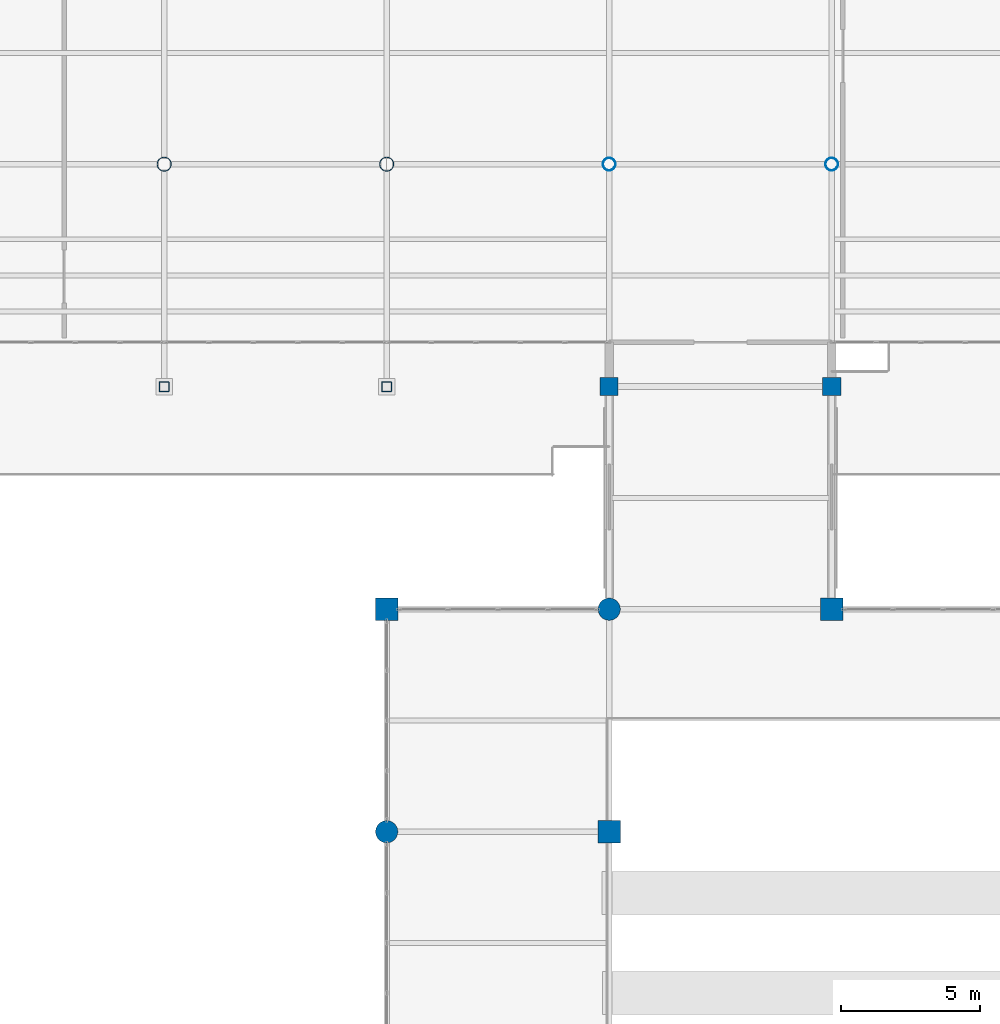
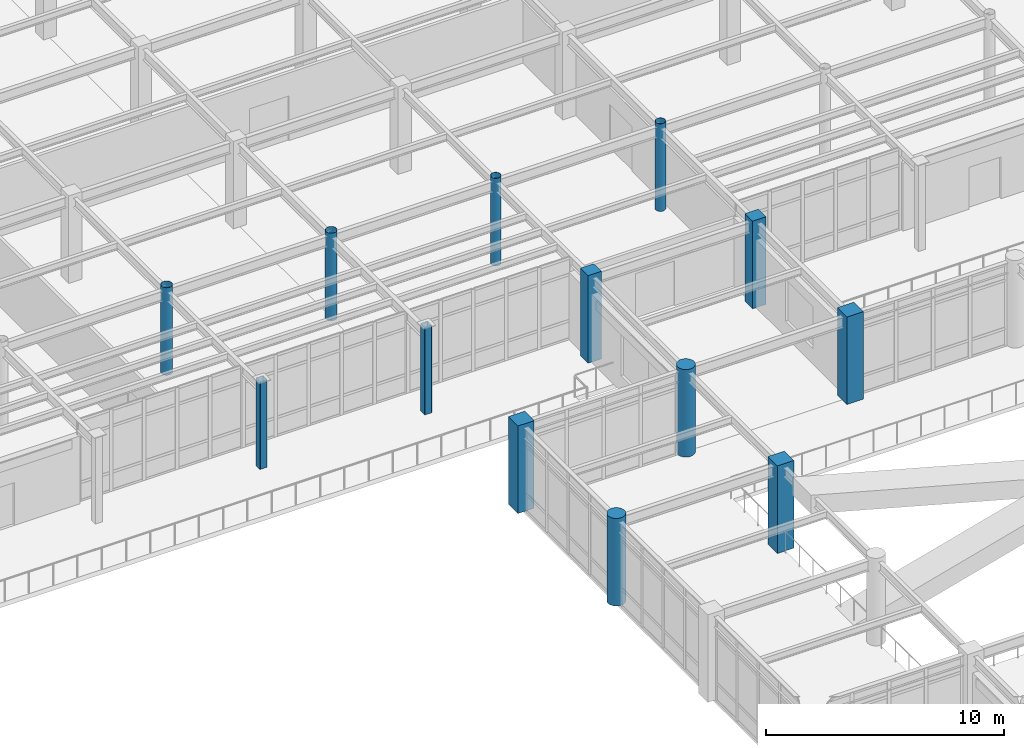
# One storey, part 9 of 111: 13 columns.
"""IFC4 building model written with IfcOpenShell, lengths in metres."""

from ifc_helpers import new_model, si_unit, direction, frame, origin, origin_2d, place, context, subcontext, project, spatial, rectangle, hollow_rectangle, circle, hollow_circle, extrude, material, material_profile, profile_set, type_object, element, save


model = new_model("IFC4")

# Units and contexts
model_context = context("Model", 3, precision=1e-05, world=origin(), true_north=direction((0.0, 1.0)))
body_context = subcontext(model_context, "Body", "Model", "MODEL_VIEW")
ifc_project = project(units=[si_unit("LENGTHUNIT", "METRE"), si_unit("AREAUNIT", "SQUARE_METRE"), si_unit("VOLUMEUNIT", "CUBIC_METRE"), si_unit("PLANEANGLEUNIT", "RADIAN"), si_unit("MASSUNIT", "GRAM", prefix="KILO")], contexts=[model_context])

# Site, building, storey
site_placement = place(None, origin())
site = spatial("IfcSite", under=ifc_project, at=site_placement, CompositionType="ELEMENT")
building_placement = place(site_placement, origin())
building = spatial("IfcBuilding", under=site, at=building_placement, Name="Solmirada Galleria", CompositionType="ELEMENT")
storey_placement = place(building_placement, frame((0.0, 0.0, 10.39990234375)))
storey = spatial("IfcBuildingStorey", under=building, at=storey_placement, Name="L02", CompositionType="ELEMENT", Elevation=10.39990234375)

# Columns
ifc_material_1 = material(Name="Steel S355 / ASTM A500 Grade C", Category="steel")
ifc_material_profile_1 = material_profile(ifc_material_1, hollow_circle(Radius=0.228515625, WallThickness=0.01171875, at=origin_2d()), Name="HSS18.000X0.500")
ifc_profile_set_1 = profile_set([ifc_material_profile_1], Name="Steel S355 / ASTM A500 Grade C")
column_type_1 = type_object("IfcColumnType", Name="COL-CHS18", PredefinedType="COLUMN", material=ifc_profile_set_1)
for number, where, z_axis, x_axis, name in (
    (1, (88.0, 88.0, 0.0), (0.0, 0.0, 1.0), (1.0, 0.0, 0.0), "Structural column L02-0552"),
    (2, (96.0, 88.0, 0.0), (0.0, 0.0, 1.0), (1.0, 0.0, 0.0), "Structural column L02-0660"),
):
    element("IfcColumn", number, at=place(storey_placement, frame(where, z_axis=z_axis, x_axis=x_axis)), inside=storey, type_object=column_type_1, Name=name, PredefinedType="COLUMN", context=body_context, shape_type="SweptSolid", body=[
        extrude(hollow_circle(Radius=0.228515625, WallThickness=0.01171875, at=origin_2d()), origin(), (0.0, 0.0, 1.0), 4.5),
    ])
ifc_material_profile_2 = material_profile(ifc_material_1, hollow_circle(Radius=0.25390625, WallThickness=0.01171875, at=origin_2d()), Name="HSS20.000X0.500")
ifc_profile_set_2 = profile_set([ifc_material_profile_2], Name="Steel S355 / ASTM A500 Grade C")
column_type_2 = type_object("IfcColumnType", Name="COL-CHS20", PredefinedType="COLUMN", material=ifc_profile_set_2)
for number, where, z_axis, x_axis, name in (
    (3, (72.0, 88.0, 0.0), (0.0, 0.0, 1.0), (1.0, 0.0, 0.0), "Structural column L02-0313"),
    (4, (80.0, 88.0, 0.0), (0.0, 0.0, 1.0), (1.0, 0.0, 0.0), "Structural column L02-0430"),
):
    element("IfcColumn", number, at=place(storey_placement, frame(where, z_axis=z_axis, x_axis=x_axis)), inside=storey, type_object=column_type_2, Name=name, PredefinedType="COLUMN", context=body_context, shape_type="SweptSolid", body=[
        extrude(hollow_circle(Radius=0.25390625, WallThickness=0.01171875, at=origin_2d()), origin(), (0.0, 0.0, 1.0), 4.5),
    ])
ifc_material_2 = material(Name="Concrete C40/50", Category="concrete")
ifc_material_profile_3 = material_profile(ifc_material_2, circle(Radius=0.39990234375, at=origin_2d()), Name="RCCOL800")
ifc_profile_set_3 = profile_set([ifc_material_profile_3], Name="Concrete C40/50")
column_type_3 = type_object("IfcColumnType", Name="COL-CIR800", PredefinedType="COLUMN", material=ifc_profile_set_3)
for number, where, z_axis, x_axis, name in (
    (5, (80.0, 64.0, 0.0), (0.0, 0.0, 1.0), (1.0, 0.0, 0.0), "Structural column L02-0408"),
    (6, (88.0, 72.0, 0.0), (0.0, 0.0, 1.0), (1.0, 0.0, 0.0), "Structural column L02-0536"),
):
    element("IfcColumn", number, at=place(storey_placement, frame(where, z_axis=z_axis, x_axis=x_axis)), inside=storey, type_object=column_type_3, Name=name, PredefinedType="COLUMN", context=body_context, shape_type="SweptSolid", body=[
        extrude(circle(Radius=0.39990234375, at=origin_2d()), origin(), (0.0, 0.0, 1.0), 4.5),
    ])
ifc_material_profile_4 = material_profile(ifc_material_1, hollow_rectangle(XDim=0.35595703125, YDim=0.35595703125, WallThickness=0.01171875, InnerFilletRadius=0.01171875, OuterFilletRadius=0.023681640625, at=origin_2d()), Name="HSS14X14X1/2")
ifc_profile_set_4 = profile_set([ifc_material_profile_4], Name="Steel S355 / ASTM A500 Grade C")
column_type_4 = type_object("IfcColumnType", Name="COL-HSS14", PredefinedType="COLUMN", material=ifc_profile_set_4)
for number, where, z_axis, x_axis, name in (
    (7, (72.0, 80.0, 0.0), (0.0, 0.0, 1.0), (1.0, 0.0, 0.0), "Structural column L02-0309"),
    (8, (80.0, 80.0, 0.0), (0.0, 0.0, 1.0), (1.0, 0.0, 0.0), "Structural column L02-0426"),
):
    element("IfcColumn", number, at=place(storey_placement, frame(where, z_axis=z_axis, x_axis=x_axis)), inside=storey, type_object=column_type_4, Name=name, PredefinedType="COLUMN", context=body_context, shape_type="SweptSolid", body=[
        extrude(hollow_rectangle(XDim=0.35595703125, YDim=0.35595703125, WallThickness=0.01171875, InnerFilletRadius=0.01171875, OuterFilletRadius=0.023681640625, at=origin_2d()), origin(), (0.0, 0.0, 1.0), 4.5),
    ])
ifc_material_profile_5 = material_profile(ifc_material_2, rectangle(XDim=0.64990234375, YDim=0.64990234375, at=origin_2d()), Name="RC650X650")
ifc_profile_set_5 = profile_set([ifc_material_profile_5], Name="Concrete C40/50")
column_type_5 = type_object("IfcColumnType", Name="COL-RC650", PredefinedType="COLUMN", material=ifc_profile_set_5)
for number, where, z_axis, x_axis, name in (
    (9, (88.0, 80.0, 0.0), (0.0, 0.0, 1.0), (1.0, 0.0, 0.0), "Structural column L02-0545"),
    (10, (96.0, 80.0, 0.0), (0.0, 0.0, 1.0), (1.0, 0.0, 0.0), "Structural column L02-0653"),
):
    element("IfcColumn", number, at=place(storey_placement, frame(where, z_axis=z_axis, x_axis=x_axis)), inside=storey, type_object=column_type_5, Name=name, PredefinedType="COLUMN", context=body_context, shape_type="SweptSolid", body=[
        extrude(rectangle(XDim=0.64990234375, YDim=0.64990234375, at=origin_2d()), origin(), (0.0, 0.0, 1.0), 4.5),
    ])
ifc_material_profile_6 = material_profile(ifc_material_2, rectangle(XDim=0.800048828125, YDim=0.800048828125, at=origin_2d()), Name="RC800X800")
ifc_profile_set_6 = profile_set([ifc_material_profile_6], Name="Concrete C40/50")
column_type_6 = type_object("IfcColumnType", Name="COL-RC800", PredefinedType="COLUMN", material=ifc_profile_set_6)
for number, where, z_axis, x_axis, name in (
    (11, (80.0, 72.0, 0.0), (0.0, 0.0, 1.0), (1.0, 0.0, 0.0), "Structural column L02-0417"),
    (12, (88.0, 64.0, 0.0), (0.0, 0.0, 1.0), (1.0, 0.0, 0.0), "Structural column L02-0529"),
    (13, (96.0, 72.0, 0.0), (0.0, 0.0, 1.0), (1.0, 0.0, 0.0), "Structural column L02-0644"),
):
    element("IfcColumn", number, at=place(storey_placement, frame(where, z_axis=z_axis, x_axis=x_axis)), inside=storey, type_object=column_type_6, Name=name, PredefinedType="COLUMN", context=body_context, shape_type="SweptSolid", body=[
        extrude(rectangle(XDim=0.800048828125, YDim=0.800048828125, at=origin_2d()), origin(), (0.0, 0.0, 1.0), 4.5),
    ])

save(model, "model.ifc")
